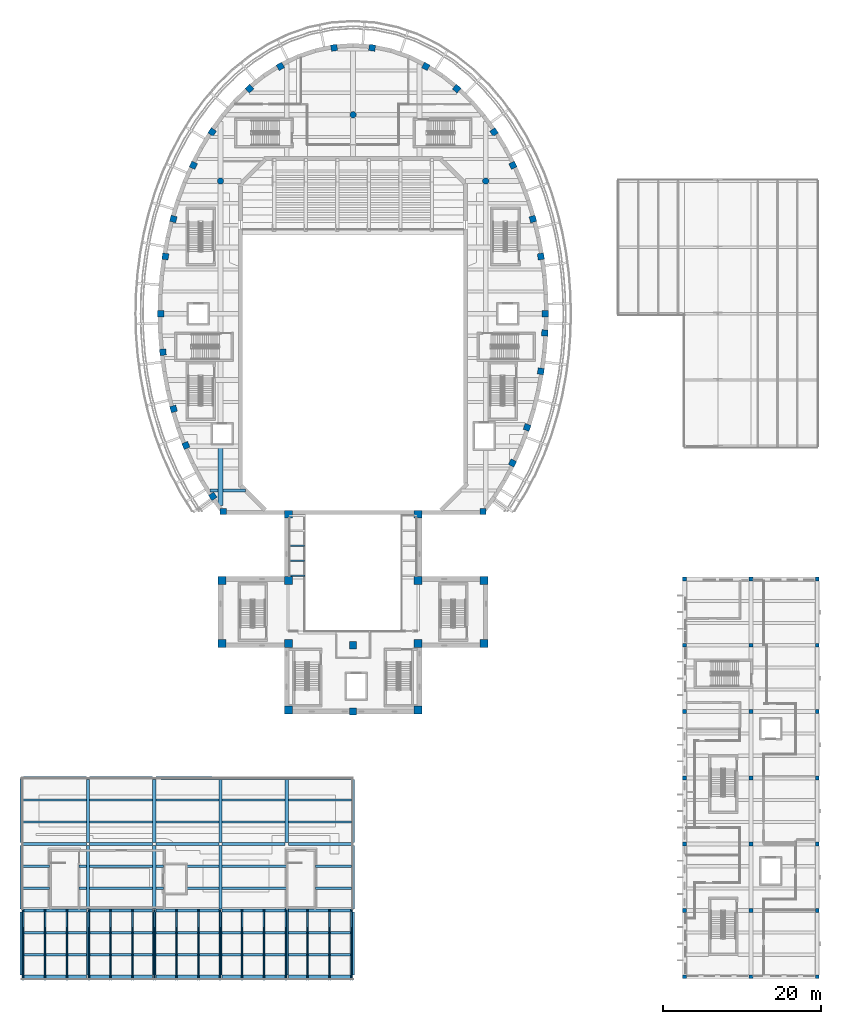
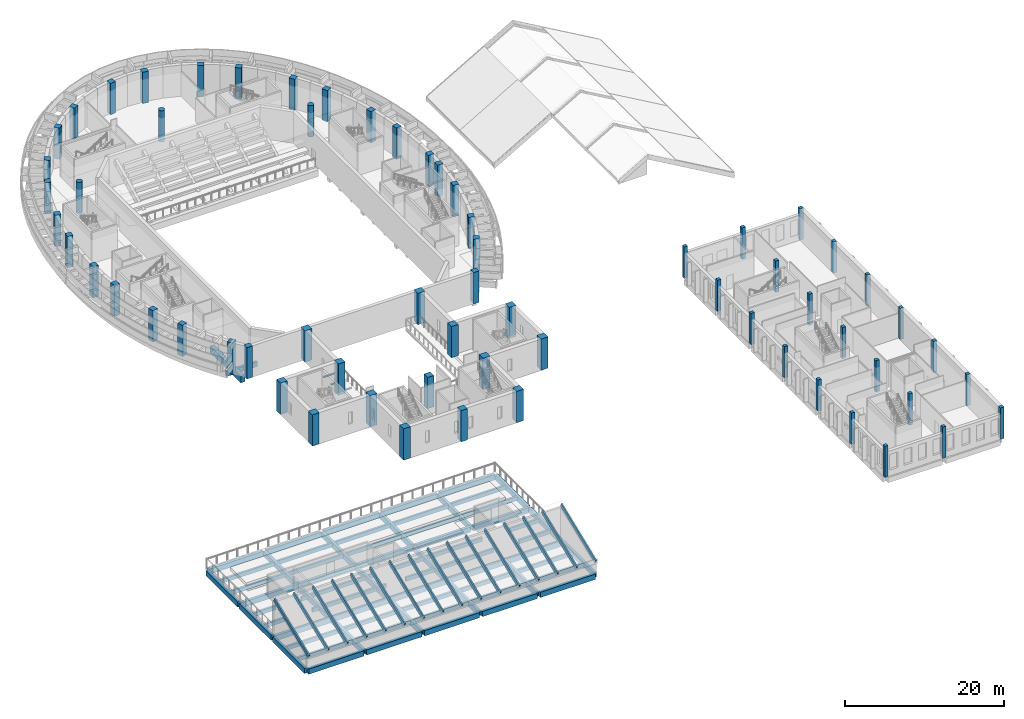
# One storey, part 1 of 37: 76 beams, 64 columns, 16 members.
"""IFC4 building model written with IfcOpenShell, lengths in metres."""

from ifc_helpers import new_model, si_unit, direction, frame, origin, origin_2d, place, context, subcontext, project, spatial, rectangle, circle, i_section, extrude, material, material_profile, profile_set, type_object, element, save


model = new_model("IFC4")

# Units and contexts
model_context = context("Model", 3, precision=1e-05, world=origin(), true_north=direction((0.0, 1.0)))
body_context = subcontext(model_context, "Body", "Model", "MODEL_VIEW")
ifc_project = project(units=[si_unit("LENGTHUNIT", "METRE"), si_unit("AREAUNIT", "SQUARE_METRE"), si_unit("VOLUMEUNIT", "CUBIC_METRE"), si_unit("PLANEANGLEUNIT", "RADIAN"), si_unit("MASSUNIT", "GRAM", prefix="KILO")], contexts=[model_context])

# Site, building, storey
site_placement = place(None, origin())
site = spatial("IfcSite", under=ifc_project, at=site_placement, CompositionType="ELEMENT")
building_placement = place(site_placement, origin())
building = spatial("IfcBuilding", under=site, at=building_placement, Name="Larchfold Concert Hall", CompositionType="ELEMENT")
storey_placement = place(building_placement, frame((0.0, 0.0, 19.199951171875)))
storey = spatial("IfcBuildingStorey", under=building, at=storey_placement, Name="L04", CompositionType="ELEMENT", Elevation=19.199951171875)

# Columns
ifc_material_1 = material(Name="Concrete C35/45", Category="concrete")
ifc_material_profile_1 = material_profile(ifc_material_1, rectangle(XDim=1.0, YDim=1.0, at=origin_2d()))
ifc_profile_set_1 = profile_set([ifc_material_profile_1], Name="Concrete C35/45")
column_type_1 = type_object("IfcColumnType", Name="Column RC 1000x1000", PredefinedType="COLUMN", material=ifc_profile_set_1)
for number, where, z_axis, x_axis, name in (
    (1, (26.0, 42.800048828125, 0.0), (0.0, 0.0, 1.0), (1.0, 0.0, 0.0), "Column C0022"),
    (2, (26.0, 50.800048828125, 0.0), (0.0, 0.0, 1.0), (1.0, 0.0, 0.0), "Column C0023"),
    (3, (34.39990234375, 34.39990234375, 0.0), (0.0, 0.0, 1.0), (1.0, 0.0, 0.0), "Column C0024"),
    (4, (34.39990234375, 42.800048828125, 0.0), (0.0, 0.0, 1.0), (1.0, 0.0, 0.0), "Column C0025"),
    (5, (34.39990234375, 50.800048828125, 0.0), (0.0, 0.0, 1.0), (1.0, 0.0, 0.0), "Column C0026"),
    (6, (34.39990234375, 59.199951171875, 0.0), (0.0, 0.0, 1.0), (1.0, 0.0, 0.0), "Column C0027"),
    (7, (50.800048828125, 34.39990234375, 0.0), (0.0, 0.0, 1.0), (1.0, 0.0, 0.0), "Column C0030"),
    (8, (50.800048828125, 42.800048828125, 0.0), (0.0, 0.0, 1.0), (1.0, 0.0, 0.0), "Column C0031"),
    (9, (50.800048828125, 50.800048828125, 0.0), (0.0, 0.0, 1.0), (1.0, 0.0, 0.0), "Column C0032"),
    (10, (50.800048828125, 59.199951171875, 0.0), (0.0, 0.0, 1.0), (1.0, 0.0, 0.0), "Column C0033"),
    (11, (59.199951171875, 42.800048828125, 0.0), (0.0, 0.0, 1.0), (1.0, 0.0, 0.0), "Column C0034"),
    (12, (59.199951171875, 50.800048828125, 0.0), (0.0, 0.0, 1.0), (1.0, 0.0, 0.0), "Column C0035"),
):
    element("IfcColumn", number, at=place(storey_placement, frame(where, z_axis=z_axis, x_axis=x_axis)), inside=storey, type_object=column_type_1, Name=name, PredefinedType="COLUMN", context=body_context, shape_type="SweptSolid", body=[
        extrude(rectangle(XDim=1.0, YDim=1.0, at=origin_2d()), origin(), (0.0, 0.0, 1.0), 4.800048828125),
    ])
ifc_material_2 = material(Name="Concrete C35/45", Category="concrete")
ifc_material_profile_2 = material_profile(ifc_material_2, rectangle(XDim=0.5, YDim=0.5, at=origin_2d()))
ifc_profile_set_2 = profile_set([ifc_material_profile_2], Name="Concrete C35/45")
column_type_2 = type_object("IfcColumnType", Name="Column RC 500x500", PredefinedType="COLUMN", material=ifc_profile_set_2)
for number, where, z_axis, x_axis, name in (
    (13, (84.60009765625, 0.60009765625, 0.0), (0.0, 0.0, 1.0), (1.0, 0.0, 0.0), "Column C0001"),
    (14, (84.60009765625, 9.0, 0.0), (0.0, 0.0, 1.0), (1.0, 0.0, 0.0), "Column C0002"),
    (15, (84.60009765625, 17.39990234375, 0.0), (0.0, 0.0, 1.0), (1.0, 0.0, 0.0), "Column C0003"),
    (16, (84.60009765625, 25.800048828125, 0.0), (0.0, 0.0, 1.0), (1.0, 0.0, 0.0), "Column C0004"),
    (17, (84.60009765625, 34.199951171875, 0.0), (0.0, 0.0, 1.0), (1.0, 0.0, 0.0), "Column C0005"),
    (18, (84.60009765625, 42.60009765625, 0.0), (0.0, 0.0, 1.0), (1.0, 0.0, 0.0), "Column C0006"),
    (19, (84.60009765625, 51.0, 0.0), (0.0, 0.0, 1.0), (1.0, 0.0, 0.0), "Column C0007"),
    (20, (93.0, 0.60009765625, 0.0), (0.0, 0.0, 1.0), (1.0, 0.0, 0.0), "Column C0008"),
    (21, (93.0, 9.0, 0.0), (0.0, 0.0, 1.0), (1.0, 0.0, 0.0), "Column C0009"),
    (22, (93.0, 17.39990234375, 0.0), (0.0, 0.0, 1.0), (1.0, 0.0, 0.0), "Column C0010"),
    (23, (93.0, 25.800048828125, 0.0), (0.0, 0.0, 1.0), (1.0, 0.0, 0.0), "Column C0011"),
    (24, (93.0, 34.199951171875, 0.0), (0.0, 0.0, 1.0), (1.0, 0.0, 0.0), "Column C0012"),
    (25, (93.0, 42.60009765625, 0.0), (0.0, 0.0, 1.0), (1.0, 0.0, 0.0), "Column C0013"),
    (26, (93.0, 51.0, 0.0), (0.0, 0.0, 1.0), (1.0, 0.0, 0.0), "Column C0014"),
    (27, (101.39990234375, 0.60009765625, 0.0), (0.0, 0.0, 1.0), (1.0, 0.0, 0.0), "Column C0015"),
    (28, (101.39990234375, 9.0, 0.0), (0.0, 0.0, 1.0), (1.0, 0.0, 0.0), "Column C0016"),
    (29, (101.39990234375, 17.39990234375, 0.0), (0.0, 0.0, 1.0), (1.0, 0.0, 0.0), "Column C0017"),
    (30, (101.39990234375, 25.800048828125, 0.0), (0.0, 0.0, 1.0), (1.0, 0.0, 0.0), "Column C0018"),
    (31, (101.39990234375, 34.199951171875, 0.0), (0.0, 0.0, 1.0), (1.0, 0.0, 0.0), "Column C0019"),
    (32, (101.39990234375, 42.60009765625, 0.0), (0.0, 0.0, 1.0), (1.0, 0.0, 0.0), "Column C0020"),
    (33, (101.39990234375, 51.0, 0.0), (0.0, 0.0, 1.0), (1.0, 0.0, 0.0), "Column C0021"),
):
    element("IfcColumn", number, at=place(storey_placement, frame(where, z_axis=z_axis, x_axis=x_axis)), inside=storey, type_object=column_type_2, Name=name, PredefinedType="COLUMN", context=body_context, shape_type="SweptSolid", body=[
        extrude(rectangle(XDim=0.5, YDim=0.5, at=origin_2d()), origin(), (0.0, 0.0, 1.0), 4.800048828125),
    ])
ifc_material_3 = material(Name="Concrete C35/45", Category="concrete")
ifc_material_profile_3 = material_profile(ifc_material_3, rectangle(XDim=0.800048828125, YDim=0.800048828125, at=origin_2d()))
ifc_profile_set_3 = profile_set([ifc_material_profile_3], Name="Concrete C35/45")
column_type_3 = type_object("IfcColumnType", Name="Column RC 800x800", PredefinedType="COLUMN", material=ifc_profile_set_3)
for number, where, z_axis, x_axis, name in (
    (34, (66.9501953125, 84.60009765625, 0.0), (0.0, 0.0, 1.0), (0.999999999998, 2.069699e-06, 0.0), "Column C9001"),
    (35, (66.384765625, 91.849609375, 0.0), (0.0, 0.0, 1.0), (0.987778077668, 0.155866831876, 0.0), "Column C9002"),
    (36, (65.3701171875, 96.591796875, 0.0), (0.0, 0.0, 1.0), (0.964788079418, 0.263028442973, 0.0), "Column C9003"),
    (37, (62.845458984375, 103.404296875, 0.0), (0.0, 0.0, 1.0), (0.901263073046, 0.433272285247, 0.0), "Column C9004"),
    (38, (60.453369140625, 107.615478515625, 0.0), (0.0, 0.0, 1.0), (0.831867887413, 0.55497370919, 0.0), "Column C9005"),
    (39, (55.727783203125, 113.10693359375, 0.0), (0.0, 0.0, 1.0), (0.664881649498, 0.746948721239, 0.0), "Column C9006"),
    (40, (51.81298828125, 115.932373046875, 0.0), (0.0, 0.0, 1.0), (0.494204498977, 0.869345681068, 0.0), "Column C9007"),
    (41, (45.006103515625, 118.2841796875, 0.0), (0.0, 0.0, 1.0), (0.13683054479, 0.990594468999, 0.0), "Column C9008"),
    (42, (40.194091796875, 118.2841796875, 0.0), (0.0, 0.0, 1.0), (0.990595961709, 0.136819737776, 0.0), "Column C9009"),
    (43, (33.38720703125, 115.932373046875, 0.0), (0.0, 0.0, 1.0), (0.869350146356, 0.49419664409, 0.0), "Column C9010"),
    (44, (29.47216796875, 113.10693359375, 0.0), (0.0, 0.0, 1.0), (0.746953596831, 0.664876172066, 0.0), "Column C9011"),
    (45, (24.746826171875, 107.615478515625, 0.0), (0.0, 0.0, 1.0), (0.554977881431, 0.831865103922, 0.0), "Column C9012"),
    (46, (22.354736328125, 103.404296875, 0.0), (0.0, 0.0, 1.0), (0.433275657946, 0.901261451651, 0.0), "Column C9013"),
    (47, (19.830078125, 96.591796875, 0.0), (0.0, 0.0, 1.0), (0.263030529779, 0.964787510493, 0.0), "Column C9014"),
    (48, (18.8154296875, 91.849609375, 0.0), (0.0, 0.0, 1.0), (0.155868072999, 0.987777881823, 0.0), "Column C9015"),
    (49, (18.25, 84.60009765625, 0.0), (0.0, 0.0, 1.0), (2.069716e-06, 0.999999999998, 0.0), "Column C9016"),
    (50, (18.50390625, 79.725830078125, 0.0), (0.0, 0.0, 1.0), (0.994561340283, 0.104152486359, 0.0), "Column C9017"),
    (51, (19.849853515625, 72.53564453125, 0.0), (0.0, 0.0, 1.0), (0.964323619166, 0.264726193489, 0.0), "Column C9018"),
    (52, (21.414794921875, 67.91552734375, 0.0), (0.0, 0.0, 1.0), (0.926013821217, 0.377489606368, 0.0), "Column C9019"),
    (53, (24.830810546875, 61.459228515625, 0.0), (0.0, 0.0, 1.0), (0.829252824487, 0.558873646794, 0.0), "Column C9020"),
    (54, (26.153076171875, 59.5498046875, 0.0), (0.0, 0.0, 1.0), (1.0, 0.0, 0.0), "Column C9021"),
    (55, (59.047119140625, 59.5498046875, 0.0), (0.0, 0.0, 1.0), (1.0, 0.0, 0.0), "Column C9022"),
    (56, (62.793212890625, 65.687255859375, 0.0), (0.0, 0.0, 1.0), (0.436211127096, 0.899844349095, 0.0), "Column C9023"),
    (57, (64.636474609375, 70.2021484375, 0.0), (0.0, 0.0, 1.0), (0.320382697349, 0.947288196506, 0.0), "Column C9024"),
    (58, (66.377685546875, 77.3056640625, 0.0), (0.0, 0.0, 1.0), (0.156847117791, 0.987622894449, 0.0), "Column C9025"),
    (59, (66.88671875, 82.15966796875, 0.0), (0.0, 0.0, 1.0), (0.051949743743, 0.998649700408, 0.0), "Column C9026"),
):
    element("IfcColumn", number, at=place(storey_placement, frame(where, z_axis=z_axis, x_axis=x_axis)), inside=storey, type_object=column_type_3, Name=name, PredefinedType="COLUMN", context=body_context, shape_type="SweptSolid", body=[
        extrude(rectangle(XDim=0.800048828125, YDim=0.800048828125, at=origin_2d()), origin(), (0.0, 0.0, 1.0), 4.800048828125),
    ])
ifc_material_4 = material(Name="Concrete C35/45", Category="concrete")
ifc_material_profile_4 = material_profile(ifc_material_4, rectangle(XDim=0.89990234375, YDim=0.89990234375, at=origin_2d()))
ifc_profile_set_4 = profile_set([ifc_material_profile_4], Name="Concrete C35/45")
column_type_4 = type_object("IfcColumnType", Name="Column RC 900x900", PredefinedType="COLUMN", material=ifc_profile_set_4)
for number, where, z_axis, x_axis, name in (
    (60, (42.60009765625, 34.199951171875, 0.0), (0.0, 0.0, 1.0), (1.0, 0.0, 0.0), "Column C0028"),
    (61, (42.60009765625, 42.60009765625, 0.0), (0.0, 0.0, 1.0), (1.0, 0.0, 0.0), "Column C0029"),
):
    element("IfcColumn", number, at=place(storey_placement, frame(where, z_axis=z_axis, x_axis=x_axis)), inside=storey, type_object=column_type_4, Name=name, PredefinedType="COLUMN", context=body_context, shape_type="SweptSolid", body=[
        extrude(rectangle(XDim=0.89990234375, YDim=0.89990234375, at=origin_2d()), origin(), (0.0, 0.0, 1.0), 4.800048828125),
    ])
ifc_material_5 = material(Name="Concrete C35/45", Category="concrete")
ifc_material_profile_5 = material_profile(ifc_material_5, circle(Radius=0.39990234375, at=origin_2d()))
ifc_profile_set_5 = profile_set([ifc_material_profile_5], Name="Concrete C35/45")
column_type_5 = type_object("IfcColumnType", Name="Column RC D800", PredefinedType="COLUMN", material=ifc_profile_set_5)
for number, where, z_axis, x_axis, name in (
    (62, (25.800048828125, 101.39990234375, 0.0), (0.0, 0.0, 1.0), (1.0, 0.0, 0.0), "Column RC5814"),
    (63, (42.60009765625, 109.800048828125, 0.0), (0.0, 0.0, 1.0), (1.0, 0.0, 0.0), "Column RC2698"),
    (64, (59.39990234375, 101.39990234375, 0.0), (0.0, 0.0, 1.0), (1.0, 0.0, 0.0), "Column RC9414"),
):
    element("IfcColumn", number, at=place(storey_placement, frame(where, z_axis=z_axis, x_axis=x_axis)), inside=storey, type_object=column_type_5, Name=name, PredefinedType="COLUMN", context=body_context, shape_type="SweptSolid", body=[
        extrude(circle(Radius=0.39990234375, at=origin_2d()), origin(), (0.0, 0.0, 1.0), 4.800048828125),
    ])

# Beams
ifc_material_6 = material(Name="Concrete C35/45", Category="concrete")
ifc_material_profile_6 = material_profile(ifc_material_6, rectangle(XDim=0.300048828125, YDim=0.60009765625, at=origin_2d()))
ifc_profile_set_6 = profile_set([ifc_material_profile_6], Name="Concrete C35/45")
beam_type_1 = type_object("IfcBeamType", Name="Beam RC 300x600", PredefinedType="BEAM", material=ifc_profile_set_6)
for number, where, z_axis, x_axis, name in (
    (65, (0.800048828125, 3.39990234375, -0.43994140625), (1.0, 0.0, 0.0), (0.0, 1.0, 0.0), "Beam B0408"),
    (66, (9.199951171875, 3.39990234375, -0.43994140625), (1.0, 0.0, 0.0), (0.0, 1.0, 0.0), "Beam B0409"),
    (67, (17.60009765625, 3.39990234375, -0.43994140625), (1.0, 0.0, 0.0), (0.0, 1.0, 0.0), "Beam B0410"),
    (68, (26.0, 3.39990234375, -0.43994140625), (1.0, 0.0, 0.0), (0.0, 1.0, 0.0), "Beam B0411"),
    (69, (34.39990234375, 3.39990234375, -0.43994140625), (1.0, 0.0, 0.0), (0.0, 1.0, 0.0), "Beam B0412"),
    (70, (0.800048828125, 6.199951171875, -0.43994140625), (1.0, 0.0, 0.0), (0.0, 1.0, 0.0), "Beam B0413"),
    (71, (9.199951171875, 6.199951171875, -0.43994140625), (1.0, 0.0, 0.0), (0.0, 1.0, 0.0), "Beam B0414"),
    (72, (17.60009765625, 6.199951171875, -0.43994140625), (1.0, 0.0, 0.0), (0.0, 1.0, 0.0), "Beam B0415"),
    (73, (26.0, 6.199951171875, -0.43994140625), (1.0, 0.0, 0.0), (0.0, 1.0, 0.0), "Beam B0416"),
    (74, (34.39990234375, 6.199951171875, -0.43994140625), (1.0, 0.0, 0.0), (0.0, 1.0, 0.0), "Beam B0417"),
):
    element("IfcBeam", number, at=place(storey_placement, frame(where, z_axis=z_axis, x_axis=x_axis)), inside=storey, type_object=beam_type_1, Name=name, PredefinedType="BEAM", context=body_context, shape_type="SweptSolid", body=[
        extrude(rectangle(XDim=0.300048828125, YDim=0.60009765625, at=origin_2d()), origin(), (0.0, 0.0, 1.0), 8.0),
    ])
beam_1_placement = place(storey_placement, frame((0.800048828125, 11.800048828125, -0.43994140625), z_axis=(1.0, 0.0, 0.0), x_axis=(0.0, 1.0, 0.0)))
element("IfcBeam", 75, at=beam_1_placement, inside=storey, type_object=beam_type_1, Name="Beam B0418", PredefinedType="BEAM", context=body_context, shape_type="SweptSolid", body=[
    extrude(rectangle(XDim=0.300048828125, YDim=0.60009765625, at=origin_2d()), origin(), (0.0, 0.0, 1.0), 3.349853515625),
])
beam_2_placement = place(storey_placement, frame((7.85009765625, 11.800048828125, -0.43994140625), z_axis=(1.0, 0.0, 0.0), x_axis=(0.0, 1.0, 0.0)))
element("IfcBeam", 76, at=beam_2_placement, inside=storey, type_object=beam_type_1, Name="Beam B0419", PredefinedType="BEAM", context=body_context, shape_type="SweptSolid", body=[
    extrude(rectangle(XDim=0.300048828125, YDim=0.60009765625, at=origin_2d()), origin(), (0.0, 0.0, 1.0), 0.949951171875),
])
beam_3_placement = place(storey_placement, frame((9.199951171875, 11.800048828125, -0.43994140625), z_axis=(1.0, 0.0, 0.0), x_axis=(0.0, 1.0, 0.0)))
element("IfcBeam", 77, at=beam_3_placement, inside=storey, type_object=beam_type_1, Name="Beam B0420", PredefinedType="BEAM", context=body_context, shape_type="SweptSolid", body=[
    extrude(rectangle(XDim=0.300048828125, YDim=0.60009765625, at=origin_2d()), origin(), (0.0, 0.0, 1.0), 8.0),
])
beam_4_placement = place(storey_placement, frame((17.60009765625, 11.800048828125, -0.43994140625), z_axis=(1.0, 0.0, 0.0), x_axis=(0.0, 1.0, 0.0)))
element("IfcBeam", 78, at=beam_4_placement, inside=storey, type_object=beam_type_1, Name="Beam B0421", PredefinedType="BEAM", context=body_context, shape_type="SweptSolid", body=[
    extrude(rectangle(XDim=0.300048828125, YDim=0.60009765625, at=origin_2d()), origin(), (0.0, 0.0, 1.0), 1.0),
])
beam_5_placement = place(storey_placement, frame((21.39990234375, 11.800048828125, -0.43994140625), z_axis=(1.0, 0.0, 0.0), x_axis=(0.0, 1.0, 0.0)))
element("IfcBeam", 79, at=beam_5_placement, inside=storey, type_object=beam_type_1, Name="Beam B0422", PredefinedType="BEAM", context=body_context, shape_type="SweptSolid", body=[
    extrude(rectangle(XDim=0.300048828125, YDim=0.60009765625, at=origin_2d()), origin(), (0.0, 0.0, 1.0), 4.2001953125),
])
beam_6_placement = place(storey_placement, frame((26.0, 11.800048828125, -0.43994140625), z_axis=(1.0, 0.0, 0.0), x_axis=(0.0, 1.0, 0.0)))
element("IfcBeam", 80, at=beam_6_placement, inside=storey, type_object=beam_type_1, Name="Beam B0423", PredefinedType="BEAM", context=body_context, shape_type="SweptSolid", body=[
    extrude(rectangle(XDim=0.300048828125, YDim=0.60009765625, at=origin_2d()), origin(), (0.0, 0.0, 1.0), 8.14990234375),
])
beam_7_placement = place(storey_placement, frame((37.85009765625, 11.800048828125, -0.43994140625), z_axis=(1.0, 0.0, 0.0), x_axis=(0.0, 1.0, 0.0)))
element("IfcBeam", 81, at=beam_7_placement, inside=storey, type_object=beam_type_1, Name="Beam B0424", PredefinedType="BEAM", context=body_context, shape_type="SweptSolid", body=[
    extrude(rectangle(XDim=0.300048828125, YDim=0.60009765625, at=origin_2d()), origin(), (0.0, 0.0, 1.0), 4.5498046875),
])
beam_8_placement = place(storey_placement, frame((0.800048828125, 14.60009765625, -0.43994140625), z_axis=(1.0, 0.0, 0.0), x_axis=(0.0, 1.0, 0.0)))
element("IfcBeam", 82, at=beam_8_placement, inside=storey, type_object=beam_type_1, Name="Beam B0425", PredefinedType="BEAM", context=body_context, shape_type="SweptSolid", body=[
    extrude(rectangle(XDim=0.300048828125, YDim=0.60009765625, at=origin_2d()), origin(), (0.0, 0.0, 1.0), 3.349853515625),
])
beam_9_placement = place(storey_placement, frame((7.85009765625, 14.60009765625, -0.43994140625), z_axis=(1.0, 0.0, 0.0), x_axis=(0.0, 1.0, 0.0)))
element("IfcBeam", 83, at=beam_9_placement, inside=storey, type_object=beam_type_1, Name="Beam B0426", PredefinedType="BEAM", context=body_context, shape_type="SweptSolid", body=[
    extrude(rectangle(XDim=0.300048828125, YDim=0.60009765625, at=origin_2d()), origin(), (0.0, 0.0, 1.0), 0.949951171875),
])
beam_10_placement = place(storey_placement, frame((9.199951171875, 14.60009765625, -0.43994140625), z_axis=(1.0, 0.0, 0.0), x_axis=(0.0, 1.0, 0.0)))
element("IfcBeam", 84, at=beam_10_placement, inside=storey, type_object=beam_type_1, Name="Beam B0427", PredefinedType="BEAM", context=body_context, shape_type="SweptSolid", body=[
    extrude(rectangle(XDim=0.300048828125, YDim=0.60009765625, at=origin_2d()), origin(), (0.0, 0.0, 1.0), 8.0),
])
beam_11_placement = place(storey_placement, frame((17.60009765625, 14.60009765625, -0.43994140625), z_axis=(1.0, 0.0, 0.0), x_axis=(0.0, 1.0, 0.0)))
element("IfcBeam", 85, at=beam_11_placement, inside=storey, type_object=beam_type_1, Name="Beam B0428", PredefinedType="BEAM", context=body_context, shape_type="SweptSolid", body=[
    extrude(rectangle(XDim=0.300048828125, YDim=0.60009765625, at=origin_2d()), origin(), (0.0, 0.0, 1.0), 1.0),
])
beam_12_placement = place(storey_placement, frame((21.39990234375, 14.60009765625, -0.43994140625), z_axis=(1.0, 0.0, 0.0), x_axis=(0.0, 1.0, 0.0)))
element("IfcBeam", 86, at=beam_12_placement, inside=storey, type_object=beam_type_1, Name="Beam B0429", PredefinedType="BEAM", context=body_context, shape_type="SweptSolid", body=[
    extrude(rectangle(XDim=0.300048828125, YDim=0.60009765625, at=origin_2d()), origin(), (0.0, 0.0, 1.0), 4.2001953125),
])
beam_13_placement = place(storey_placement, frame((26.0, 14.60009765625, -0.43994140625), z_axis=(1.0, 0.0, 0.0), x_axis=(0.0, 1.0, 0.0)))
element("IfcBeam", 87, at=beam_13_placement, inside=storey, type_object=beam_type_1, Name="Beam B0430", PredefinedType="BEAM", context=body_context, shape_type="SweptSolid", body=[
    extrude(rectangle(XDim=0.300048828125, YDim=0.60009765625, at=origin_2d()), origin(), (0.0, 0.0, 1.0), 8.14990234375),
])
beam_14_placement = place(storey_placement, frame((37.85009765625, 14.60009765625, -0.43994140625), z_axis=(1.0, 0.0, 0.0), x_axis=(0.0, 1.0, 0.0)))
element("IfcBeam", 88, at=beam_14_placement, inside=storey, type_object=beam_type_1, Name="Beam B0431", PredefinedType="BEAM", context=body_context, shape_type="SweptSolid", body=[
    extrude(rectangle(XDim=0.300048828125, YDim=0.60009765625, at=origin_2d()), origin(), (0.0, 0.0, 1.0), 4.5498046875),
])
for number, where, z_axis, x_axis, name in (
    (89, (0.800048828125, 20.199951171875, -0.43994140625), (1.0, 0.0, 0.0), (0.0, 1.0, 0.0), "Beam B0432"),
    (90, (9.199951171875, 20.199951171875, -0.43994140625), (1.0, 0.0, 0.0), (0.0, 1.0, 0.0), "Beam B0433"),
    (91, (17.60009765625, 20.199951171875, -0.43994140625), (1.0, 0.0, 0.0), (0.0, 1.0, 0.0), "Beam B0434"),
    (92, (26.0, 20.199951171875, -0.43994140625), (1.0, 0.0, 0.0), (0.0, 1.0, 0.0), "Beam B0435"),
    (93, (34.39990234375, 20.199951171875, -0.43994140625), (1.0, 0.0, 0.0), (0.0, 1.0, 0.0), "Beam B0436"),
    (94, (0.800048828125, 23.0, -0.43994140625), (1.0, 0.0, 0.0), (0.0, 1.0, 0.0), "Beam B0437"),
    (95, (9.199951171875, 23.0, -0.43994140625), (1.0, 0.0, 0.0), (0.0, 1.0, 0.0), "Beam B0438"),
    (96, (17.60009765625, 23.0, -0.43994140625), (1.0, 0.0, 0.0), (0.0, 1.0, 0.0), "Beam B0439"),
    (97, (26.0, 23.0, -0.43994140625), (1.0, 0.0, 0.0), (0.0, 1.0, 0.0), "Beam B0440"),
    (98, (34.39990234375, 23.0, -0.43994140625), (1.0, 0.0, 0.0), (0.0, 1.0, 0.0), "Beam B0441"),
):
    element("IfcBeam", number, at=place(storey_placement, frame(where, z_axis=z_axis, x_axis=x_axis)), inside=storey, type_object=beam_type_1, Name=name, PredefinedType="BEAM", context=body_context, shape_type="SweptSolid", body=[
        extrude(rectangle(XDim=0.300048828125, YDim=0.60009765625, at=origin_2d()), origin(), (0.0, 0.0, 1.0), 8.0),
    ])
ifc_material_7 = material(Name="Concrete C35/45", Category="concrete")
ifc_material_profile_7 = material_profile(ifc_material_7, rectangle(XDim=0.39990234375, YDim=0.699951171875, at=origin_2d()))
ifc_profile_set_7 = profile_set([ifc_material_profile_7], Name="Concrete C35/45")
beam_type_2 = type_object("IfcBeamType", Name="Beam RC 400x700", PredefinedType="BEAM", material=ifc_profile_set_7)
beam_15_placement = place(storey_placement, frame((24.465087890625, 62.199951171875, -0.550048828125), z_axis=(1.0, 0.0, 0.0), x_axis=(0.0, 1.0, 0.0)))
element("IfcBeam", 99, at=beam_15_placement, inside=storey, type_object=beam_type_2, Name="Beam B1471", PredefinedType="BEAM", context=body_context, shape_type="SweptSolid", body=[
    extrude(rectangle(XDim=0.39990234375, YDim=0.699951171875, at=origin_2d()), origin(), (0.0, 0.0, 1.0), 1.034912109375),
])
beam_16_placement = place(storey_placement, frame((26.10009765625, 62.199951171875, -0.550048828125), z_axis=(1.0, 0.0, 0.0), x_axis=(0.0, 1.0, 0.0)))
element("IfcBeam", 100, at=beam_16_placement, inside=storey, type_object=beam_type_2, Name="Beam B1472", PredefinedType="BEAM", context=body_context, shape_type="SweptSolid", body=[
    extrude(rectangle(XDim=0.39990234375, YDim=0.699951171875, at=origin_2d()), origin(), (0.0, 0.0, 1.0), 2.8359375),
])
ifc_material_8 = material(Name="Concrete C35/45", Category="concrete")
ifc_material_profile_8 = material_profile(ifc_material_8, rectangle(XDim=0.39990234375, YDim=0.800048828125, at=origin_2d()))
ifc_profile_set_8 = profile_set([ifc_material_profile_8], Name="Concrete C35/45")
beam_type_3 = type_object("IfcBeamType", Name="Beam RC 400x800", PredefinedType="BEAM", material=ifc_profile_set_8)
for number, where, z_axis, x_axis, name in (
    (101, (0.60009765625, 0.800048828125, -0.5400390625), (0.0, 1.0, 0.0), (-1.0, 0.0, 0.0), "Beam B0372"),
    (102, (0.60009765625, 9.199951171875, -0.5400390625), (0.0, 1.0, 0.0), (-1.0, 0.0, 0.0), "Beam B0373"),
    (103, (0.60009765625, 17.60009765625, -0.5400390625), (0.0, 1.0, 0.0), (-1.0, 0.0, 0.0), "Beam B0374"),
    (104, (9.0, 0.800048828125, -0.5400390625), (0.0, 1.0, 0.0), (-1.0, 0.0, 0.0), "Beam B0375"),
    (105, (9.0, 9.199951171875, -0.5400390625), (0.0, 1.0, 0.0), (-1.0, 0.0, 0.0), "Beam B0376"),
    (106, (9.0, 17.60009765625, -0.5400390625), (0.0, 1.0, 0.0), (-1.0, 0.0, 0.0), "Beam B0377"),
    (107, (17.39990234375, 0.800048828125, -0.5400390625), (0.0, 1.0, 0.0), (-1.0, 0.0, 0.0), "Beam B0378"),
    (108, (17.39990234375, 9.199951171875, -0.5400390625), (0.0, 1.0, 0.0), (-1.0, 0.0, 0.0), "Beam B0379"),
    (109, (17.39990234375, 17.60009765625, -0.5400390625), (0.0, 1.0, 0.0), (-1.0, 0.0, 0.0), "Beam B0380"),
    (110, (25.800048828125, 0.800048828125, -0.5400390625), (0.0, 1.0, 0.0), (-1.0, 0.0, 0.0), "Beam B0381"),
    (111, (25.800048828125, 9.199951171875, -0.5400390625), (0.0, 1.0, 0.0), (-1.0, 0.0, 0.0), "Beam B0382"),
    (112, (25.800048828125, 17.60009765625, -0.5400390625), (0.0, 1.0, 0.0), (-1.0, 0.0, 0.0), "Beam B0383"),
):
    element("IfcBeam", number, at=place(storey_placement, frame(where, z_axis=z_axis, x_axis=x_axis)), inside=storey, type_object=beam_type_3, Name=name, PredefinedType="BEAM", context=body_context, shape_type="SweptSolid", body=[
        extrude(rectangle(XDim=0.39990234375, YDim=0.800048828125, at=origin_2d()), origin(), (0.0, 0.0, 1.0), 8.0),
    ])
beam_17_placement = place(storey_placement, frame((34.199951171875, 0.800048828125, -0.5400390625), z_axis=(0.0, 1.0, 0.0), x_axis=(-1.0, 0.0, 0.0)))
element("IfcBeam", 113, at=beam_17_placement, inside=storey, type_object=beam_type_3, Name="Beam B0384", PredefinedType="BEAM", context=body_context, shape_type="SweptSolid", body=[
    extrude(rectangle(XDim=0.39990234375, YDim=0.800048828125, at=origin_2d()), origin(), (0.0, 0.0, 1.0), 8.5),
])
for number, where, z_axis, x_axis, name in (
    (114, (34.199951171875, 17.60009765625, -0.5400390625), (0.0, 1.0, 0.0), (-1.0, 0.0, 0.0), "Beam B0385"),
    (115, (42.60009765625, 0.800048828125, -0.5400390625), (0.0, 1.0, 0.0), (-1.0, 0.0, 0.0), "Beam B0386"),
    (116, (42.60009765625, 9.199951171875, -0.5400390625), (0.0, 1.0, 0.0), (-1.0, 0.0, 0.0), "Beam B0387"),
    (117, (42.60009765625, 17.60009765625, -0.5400390625), (0.0, 1.0, 0.0), (-1.0, 0.0, 0.0), "Beam B0388"),
    (118, (0.800048828125, 0.60009765625, -0.5400390625), (1.0, 0.0, 0.0), (0.0, 1.0, 0.0), "Beam B0389"),
    (119, (9.199951171875, 0.60009765625, -0.5400390625), (1.0, 0.0, 0.0), (0.0, 1.0, 0.0), "Beam B0390"),
    (120, (17.60009765625, 0.60009765625, -0.5400390625), (1.0, 0.0, 0.0), (0.0, 1.0, 0.0), "Beam B0391"),
    (121, (26.0, 0.60009765625, -0.5400390625), (1.0, 0.0, 0.0), (0.0, 1.0, 0.0), "Beam B0392"),
    (122, (34.39990234375, 0.60009765625, -0.5400390625), (1.0, 0.0, 0.0), (0.0, 1.0, 0.0), "Beam B0393"),
    (123, (0.800048828125, 9.0, -0.5400390625), (1.0, 0.0, 0.0), (0.0, 1.0, 0.0), "Beam B0394"),
    (124, (9.199951171875, 9.0, -0.5400390625), (1.0, 0.0, 0.0), (0.0, 1.0, 0.0), "Beam B0395"),
    (125, (17.60009765625, 9.0, -0.5400390625), (1.0, 0.0, 0.0), (0.0, 1.0, 0.0), "Beam B0396"),
):
    element("IfcBeam", number, at=place(storey_placement, frame(where, z_axis=z_axis, x_axis=x_axis)), inside=storey, type_object=beam_type_3, Name=name, PredefinedType="BEAM", context=body_context, shape_type="SweptSolid", body=[
        extrude(rectangle(XDim=0.39990234375, YDim=0.800048828125, at=origin_2d()), origin(), (0.0, 0.0, 1.0), 8.0),
    ])
beam_18_placement = place(storey_placement, frame((26.0, 9.0, -0.5400390625), z_axis=(1.0, 0.0, 0.0), x_axis=(0.0, 1.0, 0.0)))
element("IfcBeam", 126, at=beam_18_placement, inside=storey, type_object=beam_type_3, Name="Beam B0397", PredefinedType="BEAM", context=body_context, shape_type="SweptSolid", body=[
    extrude(rectangle(XDim=0.39990234375, YDim=0.800048828125, at=origin_2d()), origin(), (0.0, 0.0, 1.0), 16.39990234375),
])
for number, where, z_axis, x_axis, name in (
    (127, (0.800048828125, 17.39990234375, -0.5400390625), (1.0, 0.0, 0.0), (0.0, 1.0, 0.0), "Beam B0398"),
    (128, (9.199951171875, 17.39990234375, -0.5400390625), (1.0, 0.0, 0.0), (0.0, 1.0, 0.0), "Beam B0399"),
    (129, (17.60009765625, 17.39990234375, -0.5400390625), (1.0, 0.0, 0.0), (0.0, 1.0, 0.0), "Beam B0400"),
    (130, (26.0, 17.39990234375, -0.5400390625), (1.0, 0.0, 0.0), (0.0, 1.0, 0.0), "Beam B0401"),
    (131, (34.39990234375, 17.39990234375, -0.5400390625), (1.0, 0.0, 0.0), (0.0, 1.0, 0.0), "Beam B0402"),
    (132, (0.800048828125, 25.800048828125, -0.5400390625), (1.0, 0.0, 0.0), (0.0, 1.0, 0.0), "Beam B0403"),
    (133, (9.199951171875, 25.800048828125, -0.5400390625), (1.0, 0.0, 0.0), (0.0, 1.0, 0.0), "Beam B0404"),
    (134, (17.60009765625, 25.800048828125, -0.5400390625), (1.0, 0.0, 0.0), (0.0, 1.0, 0.0), "Beam B0405"),
    (135, (26.0, 25.800048828125, -0.5400390625), (1.0, 0.0, 0.0), (0.0, 1.0, 0.0), "Beam B0406"),
    (136, (34.39990234375, 25.800048828125, -0.5400390625), (1.0, 0.0, 0.0), (0.0, 1.0, 0.0), "Beam B0407"),
):
    element("IfcBeam", number, at=place(storey_placement, frame(where, z_axis=z_axis, x_axis=x_axis)), inside=storey, type_object=beam_type_3, Name=name, PredefinedType="BEAM", context=body_context, shape_type="SweptSolid", body=[
        extrude(rectangle(XDim=0.39990234375, YDim=0.800048828125, at=origin_2d()), origin(), (0.0, 0.0, 1.0), 8.0),
    ])
ifc_material_9 = material(Name="Concrete C35/45", Category="concrete")
ifc_material_profile_9 = material_profile(ifc_material_9, rectangle(XDim=0.60009765625, YDim=1.0, at=origin_2d()))
ifc_profile_set_9 = profile_set([ifc_material_profile_9], Name="Concrete C35/45")
beam_type_4 = type_object("IfcBeamType", Name="Beam RC 600x1000", PredefinedType="BEAM", material=ifc_profile_set_9)
beam_19_placement = place(storey_placement, frame((25.800048828125, 60.271240234375, -0.699951171875), z_axis=(0.0, 1.0, 0.0), x_axis=(-1.0, 0.0, 0.0)))
element("IfcBeam", 137, at=beam_19_placement, inside=storey, type_object=beam_type_4, Name="Beam B1436", PredefinedType="BEAM", context=body_context, shape_type="SweptSolid", body=[
    extrude(rectangle(XDim=0.60009765625, YDim=1.0, at=origin_2d()), origin(), (0.0, 0.0, 1.0), 7.728759765625),
])

# Members
ifc_material_10 = material(Name="Glulam GL30c", Category="wood")
ifc_material_profile_10 = material_profile(ifc_material_10, rectangle(XDim=0.18994140625, YDim=0.5849609375, at=origin_2d()))
ifc_profile_set_10 = profile_set([ifc_material_profile_10], Name="Glulam GL30c")
member_type = type_object("IfcMemberType", Name="Glulam rafter GL30c 190x585", PredefinedType="RAFTER", material=ifc_profile_set_10)
for number, where, z_axis, x_axis, name in (
    (138, (0.800048828125, 0.300048828125, 1.84130859375), (0.0, 0.928476690885, 0.371390676354), (-1.0, 0.0, 0.0), "Member RS01"),
    (139, (3.5732421875, 0.300048828125, 1.84130859375), (0.0, 0.928476690885, 0.371390676354), (-1.0, 0.0, 0.0), "Member RS02"),
    (140, (6.3466796875, 0.300048828125, 1.84130859375), (0.0, 0.928476690885, 0.371390676354), (-1.0, 0.0, 0.0), "Member RS03"),
    (141, (9.1201171875, 0.300048828125, 1.84130859375), (0.0, 0.928476690885, 0.371390676354), (-1.0, 0.0, 0.0), "Member RS04"),
    (142, (11.893310546875, 0.300048828125, 1.84130859375), (0.0, 0.928476690885, 0.371390676354), (-1.0, 0.0, 0.0), "Member RS05"),
    (143, (14.666748046875, 0.300048828125, 1.84130859375), (0.0, 0.928476690885, 0.371390676354), (-1.0, 0.0, 0.0), "Member RS06"),
    (144, (17.43994140625, 0.300048828125, 1.84130859375), (0.0, 0.928476690885, 0.371390676354), (-1.0, 0.0, 0.0), "Member RS07"),
    (145, (20.21337890625, 0.300048828125, 1.84130859375), (0.0, 0.928476690885, 0.371390676354), (-1.0, 0.0, 0.0), "Member RS08"),
    (146, (22.986572265625, 0.300048828125, 1.84130859375), (0.0, 0.928476690885, 0.371390676354), (-1.0, 0.0, 0.0), "Member RS09"),
    (147, (25.760009765625, 0.300048828125, 1.84130859375), (0.0, 0.928476690885, 0.371390676354), (-1.0, 0.0, 0.0), "Member RS10"),
    (148, (28.533447265625, 0.300048828125, 1.84130859375), (0.0, 0.928476690885, 0.371390676354), (-1.0, 0.0, 0.0), "Member RS11"),
    (149, (31.306640625, 0.300048828125, 1.84130859375), (0.0, 0.928476690885, 0.371390676354), (-1.0, 0.0, 0.0), "Member RS12"),
    (150, (34.080078125, 0.300048828125, 1.84130859375), (0.0, 0.928476690885, 0.371390676354), (-1.0, 0.0, 0.0), "Member RS13"),
    (151, (36.853271484375, 0.300048828125, 1.84130859375), (0.0, 0.928476690885, 0.371390676354), (-1.0, 0.0, 0.0), "Member RS14"),
    (152, (39.626708984375, 0.300048828125, 1.84130859375), (0.0, 0.928476690885, 0.371390676354), (-1.0, 0.0, 0.0), "Member RS15"),
    (153, (42.39990234375, 0.300048828125, 1.84130859375), (0.0, 0.928476690885, 0.371390676354), (-1.0, 0.0, 0.0), "Member RS16"),
):
    element("IfcMember", number, at=place(storey_placement, frame(where, z_axis=z_axis, x_axis=x_axis)), inside=storey, type_object=member_type, Name=name, PredefinedType="RAFTER", context=body_context, shape_type="SweptSolid", body=[
        extrude(rectangle(XDim=0.18994140625, YDim=0.5849609375, at=origin_2d()), origin(), (0.0, 0.0, 1.0), 9.3701171875),
    ])

# Beams
ifc_material_11 = material(Name="Steel S355", Category="steel")
ifc_material_profile_11 = material_profile(ifc_material_11, i_section(OverallWidth=0.199951171875, OverallDepth=0.199951171875, WebThickness=0.009033203125, FlangeThickness=0.014892578125, FilletRadius=0.01806640625, at=origin_2d()))
ifc_profile_set_11 = profile_set([ifc_material_profile_11], Name="Steel S355")
beam_type_5 = type_object("IfcBeamType", Name="Steel beam HEB 200", PredefinedType="BEAM", material=ifc_profile_set_11)
beam_20_placement = place(storey_placement, frame((34.5, 51.39990234375, -0.3798828125), z_axis=(1.0, 0.0, 0.0), x_axis=(0.0, 1.0, 0.0)))
element("IfcBeam", 154, at=beam_20_placement, inside=storey, type_object=beam_type_5, Name="Beam GLW41", PredefinedType="BEAM", context=body_context, shape_type="SweptSolid", body=[
    extrude(i_section(OverallWidth=0.199951171875, OverallDepth=0.199951171875, WebThickness=0.009033203125, FlangeThickness=0.014892578125, FilletRadius=0.01806640625, at=origin_2d()), origin(), (0.0, 0.0, 1.0), 2.0),
])
for number, where, z_axis, x_axis, name in (
    (155, (34.5, 53.300048828125, -0.3798828125), (1.0, 0.0, 0.0), (0.0, 1.0, 0.0), "Beam GLW42"),
    (156, (34.5, 55.199951171875, -0.3798828125), (1.0, 0.0, 0.0), (0.0, 1.0, 0.0), "Beam GLW43"),
):
    element("IfcBeam", number, at=place(storey_placement, frame(where, z_axis=z_axis, x_axis=x_axis)), inside=storey, type_object=beam_type_5, Name=name, PredefinedType="BEAM", context=body_context, shape_type="SweptSolid", body=[
        extrude(i_section(OverallWidth=0.199951171875, OverallDepth=0.199951171875, WebThickness=0.009033203125, FlangeThickness=0.014892578125, FilletRadius=0.01806640625, at=origin_2d()), origin(), (0.0, 0.0, 1.0), 1.919921875),
    ])

save(model, "model.ifc")
